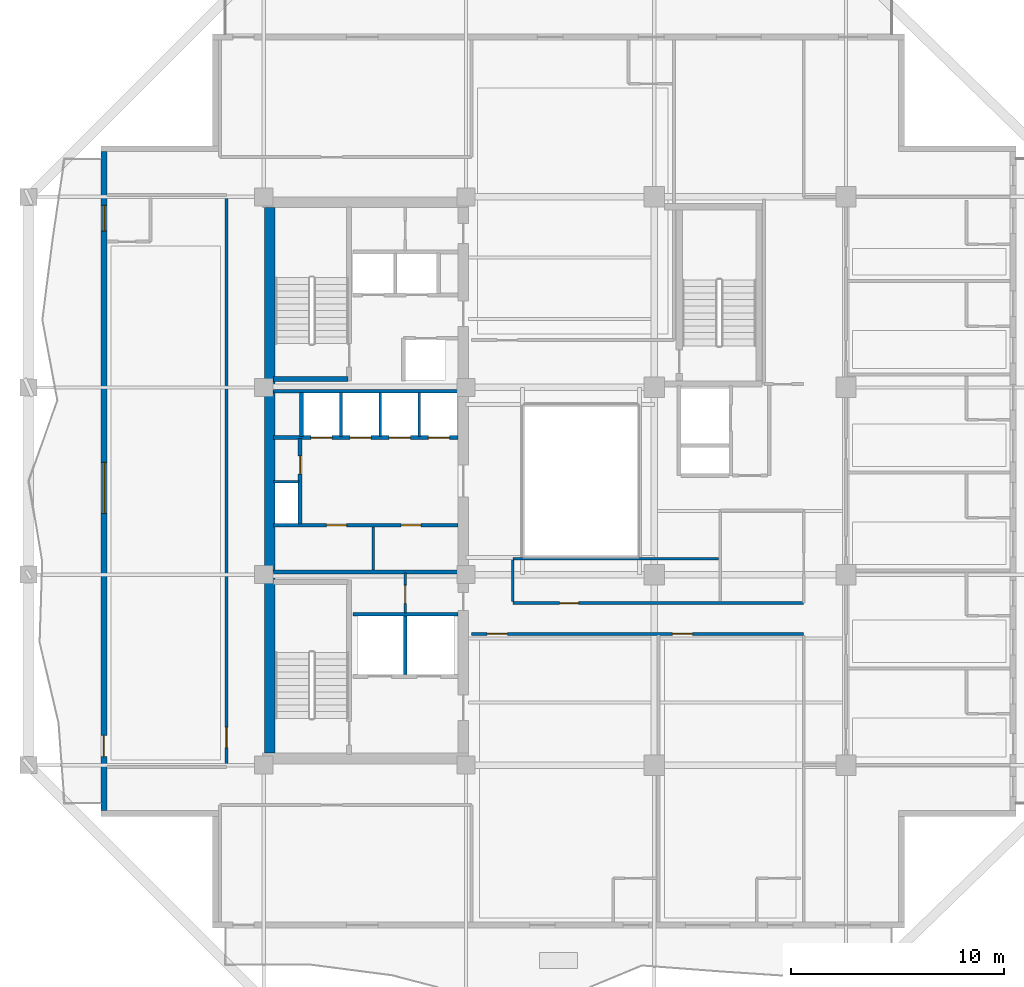
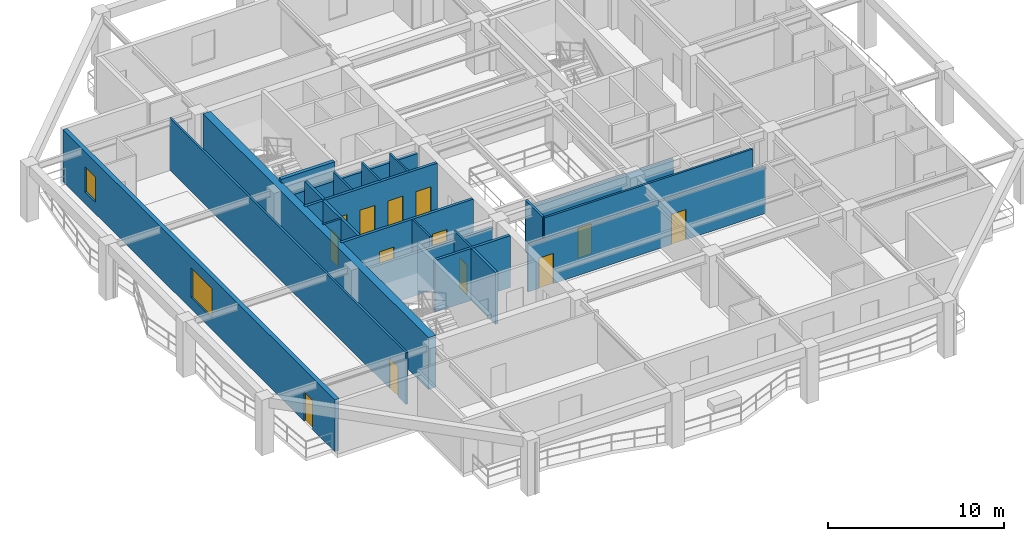
# One storey, part 3 of 13: 22 walls, 13 doors, 2 windows, 15 openings.
"""IFC4 building model written with IfcOpenShell, lengths in metres."""

from ifc_helpers import new_model, si_unit, direction, frame, frame_2d, origin, place, context, subcontext, project, spatial, rectangle, extrude, material, layer, layer_set, type_object, element, fill, save


model = new_model("IFC4")

# Units and contexts
model_context = context("Model", 3, precision=1e-05, world=origin(), true_north=direction((0.0, 1.0)))
body_context = subcontext(model_context, "Body", "Model", "MODEL_VIEW")
ifc_project = project(units=[si_unit("LENGTHUNIT", "METRE"), si_unit("AREAUNIT", "SQUARE_METRE"), si_unit("VOLUMEUNIT", "CUBIC_METRE"), si_unit("PLANEANGLEUNIT", "RADIAN"), si_unit("MASSUNIT", "GRAM", prefix="KILO")], contexts=[model_context])

# Site, building, storey
site_placement = place(None, origin())
site = spatial("IfcSite", under=ifc_project, at=site_placement, CompositionType="ELEMENT")
building_placement = place(site_placement, origin())
building = spatial("IfcBuilding", under=site, at=building_placement, Name="Kundavana Baori Tower", CompositionType="ELEMENT")
storey_placement = place(building_placement, frame((0.0, 0.0, 188.699951171875)))
storey = spatial("IfcBuildingStorey", under=building, at=storey_placement, Name="L46", CompositionType="ELEMENT", Elevation=188.699951171875)

# Walls
ifc_material_1 = material(Name="Concrete C50/60", Category="concrete")
ifc_layer_1 = layer(ifc_material_1, 0.39990234375, Name="WL-CORE-400")
ifc_layer_set_1 = layer_set([ifc_layer_1], Name="Concrete C50/60")
wall_type_1 = type_object("IfcWallType", Name="WL-CORE-400", PredefinedType="SHEAR", material=ifc_layer_set_1)
wall_1_placement = place(storey_placement, frame((15.89990234375, 33.389892578125, 0.0), z_axis=(0.0, 0.0, 1.0), x_axis=(1.0, 0.0, 0.0)))
element("IfcWall", 1, at=wall_1_placement, inside=storey, type_object=wall_type_1, Name="WL-L46-ST2-S", PredefinedType="SHEAR", context=body_context, shape_type="SweptSolid", body=[
    extrude(rectangle(XDim=3.52001953125, YDim=0.239990234375, at=frame_2d((1.760009765625, 0.0))), origin(), (0.0, 0.0, 1.0), 3.85009765625),
])
ifc_material_2 = material(Name="Concrete C50/60", Category="concrete")
ifc_layer_2 = layer(ifc_material_2, 0.5, Name="WL-CORE-500")
ifc_layer_set_2 = layer_set([ifc_layer_2], Name="Concrete C50/60")
wall_type_2 = type_object("IfcWallType", Name="WL-CORE-500", PredefinedType="SHEAR", material=ifc_layer_set_2)
wall_2_placement = place(storey_placement, frame((15.739990234375, 15.81005859375, 0.0), z_axis=(0.0, 0.0, 1.0), x_axis=(0.0, 1.0, 0.0)))
element("IfcWall", 2, at=wall_2_placement, inside=storey, type_object=wall_type_2, Name="L46 Offset Core West Shear Wall", PredefinedType="SHEAR", context=body_context, shape_type="SweptSolid", body=[
    extrude(rectangle(XDim=25.6298828125, YDim=0.5, at=frame_2d((12.81494140625, 0.0))), origin(), (0.0, 0.0, 1.0), 3.60009765625),
])

# Wall, openings, door, windows
ifc_material_3 = material(Name="Red-Buff Dholpur Sandstone Cladding on Concrete C40/50", Category="masonry")
ifc_layer_3 = layer(ifc_material_3, 0.280029296875, Name="WL-EXT-SAND-280")
ifc_layer_set_3 = layer_set([ifc_layer_3], Name="Red-Buff Dholpur Sandstone Cladding on Concrete C40/50")
wall_type_3 = type_object("IfcWallType", Name="WL-EXT-SAND-280", PredefinedType="STANDARD", material=ifc_layer_set_3)
wall_3_placement = place(storey_placement, frame((7.93994140625, 44.070068359375, 0.0), z_axis=(0.0, 0.0, 1.0), x_axis=(0.0, -1.0, 0.0)))
wall_3 = element("IfcWall", 3, at=wall_3_placement, inside=storey, type_object=wall_type_3, Name="L46 Exterior Insulated Facade Wall 10", PredefinedType="STANDARD", context=body_context, shape_type="SweptSolid", body=[
    extrude(rectangle(XDim=30.940185546875, YDim=0.280029296875, at=frame_2d((15.47021484375, 0.0))), origin(), (0.0, 0.0, 1.0), 3.60009765625),
])
opening_1_placement = place(wall_3_placement, frame((27.419921875, 0.0, 0.0)))
opening_1 = element("IfcOpeningElement", 4, at=opening_1_placement, cuts=wall_3, Name="Opening BD-1", PredefinedType="OPENING", context=body_context, shape_type="SweptSolid", body=[
    extrude(rectangle(XDim=1.0, YDim=2.050048828125, at=frame_2d((0.5, 1.02490234375))), frame((0.0, 0.14990234375, 0.0), z_axis=(0.0, -1.0, 0.0), x_axis=(1.0, 0.0, 0.0)), (0.0, 0.0, 1.0), 0.300048828125),
])
opening_2_placement = place(wall_3_placement, frame((14.590087890625, 0.0, 0.800048828125)))
opening_2 = element("IfcOpeningElement", 5, at=opening_2_placement, cuts=wall_3, Name="Opening W-04", PredefinedType="OPENING", context=body_context, shape_type="SweptSolid", body=[
    extrude(rectangle(XDim=2.39990234375, YDim=2.050048828125, at=frame_2d((1.199951171875, 1.02490234375))), frame((0.0, 0.14990234375, 0.0), z_axis=(0.0, -1.0, 0.0), x_axis=(1.0, 0.0, 0.0)), (0.0, 0.0, 1.0), 0.300048828125),
])
opening_3_placement = place(wall_3_placement, frame((2.52490234375, 0.0, 0.800048828125)))
opening_3 = element("IfcOpeningElement", 6, at=opening_3_placement, cuts=wall_3, Name="Opening W-03", PredefinedType="OPENING", context=body_context, shape_type="SweptSolid", body=[
    extrude(rectangle(XDim=1.199951171875, YDim=1.75, at=frame_2d((0.60009765625, 0.875))), frame((0.0, 0.14990234375, 0.0), z_axis=(0.0, -1.0, 0.0), x_axis=(1.0, 0.0, 0.0)), (0.0, 0.0, 1.0), 0.300048828125),
])
ifc_material_4 = material(Name="Architectural Patinated Bronze Metalwork")
door_type_1 = type_object("IfcDoorType", Name="DR-EXT-LOG-1000", OperationType="NOTDEFINED", PredefinedType="DOOR", material=ifc_material_4)
door_1_placement = place(opening_1_placement, frame((1.0, 0.0, 0.0), z_axis=(0.0, 0.0, 1.0), x_axis=(-1.0, 0.0, 0.0)))
door_1 = element("IfcDoor", 7, at=door_1_placement, inside=storey, type_object=door_type_1, Name="L46 Loggia Balcony Access Door W", OperationType="SINGLE_SWING_RIGHT", OverallHeight=2.050048828125, OverallWidth=1.0, PredefinedType="DOOR", context=body_context, shape_type="SweptSolid", body=[
    extrude(rectangle(XDim=1.0, YDim=2.050048828125, at=frame_2d((0.5, 1.02490234375))), frame((0.0, 0.02490234375, 0.0), z_axis=(0.0, -1.0, 0.0), x_axis=(1.0, 0.0, 0.0)), (0.0, 0.0, 1.0), 0.050048828125),
])
fill(opening_1, door_1)
ifc_material_5 = material(Name="Double-Glazed Solar-Control Low-E Insulated Glass", Category="glass")
window_type_1 = type_object("IfcWindowType", Name="WIN-LOG-1200x1750", PartitioningType="SINGLE_PANEL", PredefinedType="WINDOW", material=ifc_material_5)
window_1_placement = place(opening_3_placement, origin())
window_1 = element("IfcWindow", 8, at=window_1_placement, inside=storey, type_object=window_type_1, Name="L46 Recessed Loggia Window W-2", OverallHeight=1.75, OverallWidth=1.199951171875, PartitioningType="SINGLE_PANEL", PredefinedType="WINDOW", context=body_context, shape_type="SweptSolid", body=[
    extrude(rectangle(XDim=1.199951171875, YDim=1.75, at=frame_2d((0.60009765625, 0.875))), frame((0.0, 0.030029296875, 0.0), z_axis=(0.0, -1.0, 0.0), x_axis=(1.0, 0.0, 0.0)), (0.0, 0.0, 1.0), 0.06005859375),
])
fill(opening_3, window_1)
ifc_material_6 = material(Name="Double-Glazed Solar-Control Low-E Insulated Glass", Category="glass")
window_type_2 = type_object("IfcWindowType", Name="WIN-LOG-2400x2050", PartitioningType="SINGLE_PANEL", PredefinedType="WINDOW", material=ifc_material_6)
window_2_placement = place(opening_2_placement, origin())
window_2 = element("IfcWindow", 9, at=window_2_placement, inside=storey, type_object=window_type_2, Name="L46 Recessed Loggia Window W-1", OverallHeight=2.050048828125, OverallWidth=2.39990234375, PartitioningType="SINGLE_PANEL", PredefinedType="WINDOW", context=body_context, shape_type="SweptSolid", body=[
    extrude(rectangle(XDim=2.39990234375, YDim=2.050048828125, at=frame_2d((1.199951171875, 1.02490234375))), frame((0.0, 0.030029296875, 0.0), z_axis=(0.0, -1.0, 0.0), x_axis=(1.0, 0.0, 0.0)), (0.0, 0.0, 1.0), 0.06005859375),
])
fill(opening_2, window_2)

# Wall, opening, door
ifc_material_7 = material(Name="Acoustic Gypsum Plasterboard on Galvanised Steel Studs", Category="steel")
ifc_layer_4 = layer(ifc_material_7, 0.1201171875, Name="WL-PART-120")
ifc_layer_set_4 = layer_set([ifc_layer_4], Name="Acoustic Gypsum Plasterboard on Galvanised Steel Studs")
wall_type_4 = type_object("IfcWallType", Name="WL-PART-120", PredefinedType="PARTITIONING", material=ifc_layer_set_4)
wall_4_placement = place(storey_placement, frame((22.10009765625, 22.39990234375, 0.0), z_axis=(0.0, 0.0, 1.0), x_axis=(0.0, 1.0, 0.0)))
wall_4 = element("IfcWall", 10, at=wall_4_placement, inside=storey, type_object=wall_type_4, Name="WL-L46-CSMK-D1", PredefinedType="PARTITIONING", context=body_context, shape_type="SweptSolid", body=[
    extrude(rectangle(XDim=1.880126953125, YDim=0.1201171875, at=frame_2d((0.93994140625, 0.0))), origin(), (0.0, 0.0, 1.0), 3.60009765625),
])
opening_4_placement = place(wall_4_placement, frame((0.449951171875, 0.0, 0.0)))
opening_4 = element("IfcOpeningElement", 11, at=opening_4_placement, cuts=wall_4, Name="Opening FD-085", PredefinedType="OPENING", context=body_context, shape_type="SweptSolid", body=[
    extrude(rectangle(XDim=0.85009765625, YDim=2.06005859375, at=frame_2d((0.425048828125, 1.030029296875))), frame((0.0, 0.070068359375, 0.0), z_axis=(0.0, -1.0, 0.0), x_axis=(1.0, 0.0, 0.0)), (0.0, 0.0, 1.0), 0.14013671875),
])
ifc_material_8 = material(Name="Galvanised Steel Fire-Rated Door Leaf", Category="steel")
door_type_2 = type_object("IfcDoorType", Name="DR-FD60-850", OperationType="NOTDEFINED", PredefinedType="DOOR", material=ifc_material_8)
door_2_placement = place(opening_4_placement, origin())
door_2 = element("IfcDoor", 12, at=door_2_placement, inside=storey, type_object=door_type_2, Name="DR-L46-CSMK1", OperationType="SINGLE_SWING_LEFT", OverallHeight=2.06005859375, OverallWidth=0.85009765625, PredefinedType="DOOR", context=body_context, shape_type="SweptSolid", body=[
    extrude(rectangle(XDim=0.85009765625, YDim=2.06005859375, at=frame_2d((0.425048828125, 1.030029296875))), frame((0.0, 0.02490234375, 0.0), z_axis=(0.0, -1.0, 0.0), x_axis=(1.0, 0.0, 0.0)), (0.0, 0.0, 1.0), 0.050048828125),
])
fill(opening_4, door_2)

# Walls
wall_5_placement = place(storey_placement, frame((20.60009765625, 24.419921875, 0.0), z_axis=(0.0, 0.0, 1.0), x_axis=(0.0, 1.0, 0.0)))
element("IfcWall", 13, at=wall_5_placement, inside=storey, type_object=wall_type_4, Name="WL-L46-FRLOW-DIV", PredefinedType="PARTITIONING", context=body_context, shape_type="SweptSolid", body=[
    extrude(rectangle(XDim=2.02001953125, YDim=0.1201171875, at=frame_2d((1.010009765625, 0.0))), origin(), (0.0, 0.0, 1.0), 3.60009765625),
])
wall_6_placement = place(storey_placement, frame((15.89990234375, 28.56005859375, 0.0), z_axis=(0.0, 0.0, 1.0), x_axis=(1.0, 0.0, 0.0)))
element("IfcWall", 14, at=wall_6_placement, inside=storey, type_object=wall_type_4, Name="WL-L46-RSRW-N", PredefinedType="PARTITIONING", context=body_context, shape_type="SweptSolid", body=[
    extrude(rectangle(XDim=1.2001953125, YDim=0.1201171875, at=frame_2d((0.60009765625, 0.0))), origin(), (0.0, 0.0, 1.0), 3.60009765625),
])
for number, where, z_axis, x_axis, name in (
    (15, (19.080078125, 30.699951171875, 0.0), (0.0, 0.0, 1.0), (0.0, 1.0, 0.0), "WL-L46-LPMID-D1"),
    (16, (20.919921875, 30.699951171875, 0.0), (0.0, 0.0, 1.0), (0.0, 1.0, 0.0), "WL-L46-LPMID-D2"),
    (17, (22.760009765625, 30.699951171875, 0.0), (0.0, 0.0, 1.0), (0.0, 1.0, 0.0), "WL-L46-LPMID-D3"),
):
    element("IfcWall", number, at=place(storey_placement, frame(where, z_axis=z_axis, x_axis=x_axis)), inside=storey, type_object=wall_type_4, Name=name, PredefinedType="PARTITIONING", context=body_context, shape_type="SweptSolid", body=[
        extrude(rectangle(XDim=2.050048828125, YDim=0.1201171875, at=frame_2d((1.02490234375, 0.0))), origin(), (0.0, 0.0, 1.0), 3.60009765625),
    ])

# Wall, openings, doors
ifc_material_9 = material(Name="Acoustic Gypsum Plasterboard on Galvanised Steel Studs", Category="steel")
ifc_layer_5 = layer(ifc_material_9, 0.135009765625, Name="WL-PART-135")
ifc_layer_set_5 = layer_set([ifc_layer_5], Name="Acoustic Gypsum Plasterboard on Galvanised Steel Studs")
wall_type_5 = type_object("IfcWallType", Name="WL-PART-135", PredefinedType="PARTITIONING", material=ifc_layer_set_5)
wall_7_placement = place(storey_placement, frame((25.219970703125, 21.419921875, 0.0), z_axis=(0.0, 0.0, 1.0), x_axis=(1.0, 0.0, 0.0)))
wall_7 = element("IfcWall", 18, at=wall_7_placement, inside=storey, type_object=wall_type_5, Name="WL-L46-HS", PredefinedType="PARTITIONING", context=body_context, shape_type="SweptSolid", body=[
    extrude(rectangle(XDim=15.60009765625, YDim=0.135009765625, at=frame_2d((7.800048828125, 0.0))), origin(), (0.0, 0.0, 1.0), 3.25),
])
opening_5_placement = place(wall_7_placement, frame((0.72998046875, 0.0, 0.0)))
opening_5 = element("IfcOpeningElement", 19, at=opening_5_placement, cuts=wall_7, Name="Opening FD-095", PredefinedType="OPENING", context=body_context, shape_type="SweptSolid", body=[
    extrude(rectangle(XDim=0.949951171875, YDim=2.10009765625, at=frame_2d((0.47509765625, 1.050048828125))), frame((0.0, 0.07763671875, 0.0), z_axis=(0.0, -1.0, 0.0), x_axis=(1.0, 0.0, 0.0)), (0.0, 0.0, 1.0), 0.155029296875),
])
opening_6_placement = place(wall_7_placement, frame((9.429931640625, 0.0, 0.0)))
opening_6 = element("IfcOpeningElement", 20, at=opening_6_placement, cuts=wall_7, Name="Opening FD-095", PredefinedType="OPENING", context=body_context, shape_type="SweptSolid", body=[
    extrude(rectangle(XDim=0.949951171875, YDim=2.10009765625, at=frame_2d((0.47509765625, 1.050048828125))), frame((0.0, 0.07763671875, 0.0), z_axis=(0.0, -1.0, 0.0), x_axis=(1.0, 0.0, 0.0)), (0.0, 0.0, 1.0), 0.155029296875),
])
ifc_material_10 = material(Name="Engineered Teak Fire-Rated Timber Door Leaf", Category="wood")
door_type_3 = type_object("IfcDoorType", Name="DR-FD60-950", OperationType="NOTDEFINED", PredefinedType="DOOR", material=ifc_material_10)
door_3_placement = place(opening_5_placement, frame((0.949951171875, 0.0, 0.0), z_axis=(0.0, 0.0, 1.0), x_axis=(-1.0, 0.0, 0.0)))
door_3 = element("IfcDoor", 21, at=door_3_placement, inside=storey, type_object=door_type_3, Name="DR-L46-HK-S1-ENT", OperationType="SINGLE_SWING_RIGHT", OverallHeight=2.10009765625, OverallWidth=0.949951171875, PredefinedType="DOOR", context=body_context, shape_type="SweptSolid", body=[
    extrude(rectangle(XDim=0.949951171875, YDim=2.10009765625, at=frame_2d((0.47509765625, 1.050048828125))), frame((0.0, 0.02490234375, 0.0), z_axis=(0.0, -1.0, 0.0), x_axis=(1.0, 0.0, 0.0)), (0.0, 0.0, 1.0), 0.050048828125),
])
fill(opening_5, door_3)
door_4_placement = place(opening_6_placement, frame((0.949951171875, 0.0, 0.0), z_axis=(0.0, 0.0, 1.0), x_axis=(-1.0, 0.0, 0.0)))
door_4 = element("IfcDoor", 22, at=door_4_placement, inside=storey, type_object=door_type_3, Name="DR-L46-HK-S2-ENT", OperationType="SINGLE_SWING_RIGHT", OverallHeight=2.10009765625, OverallWidth=0.949951171875, PredefinedType="DOOR", context=body_context, shape_type="SweptSolid", body=[
    extrude(rectangle(XDim=0.949951171875, YDim=2.10009765625, at=frame_2d((0.47509765625, 1.050048828125))), frame((0.0, 0.02490234375, 0.0), z_axis=(0.0, -1.0, 0.0), x_axis=(1.0, 0.0, 0.0)), (0.0, 0.0, 1.0), 0.050048828125),
])
fill(opening_6, door_4)

# Wall, opening, door
wall_8_placement = place(storey_placement, frame((27.14990234375, 22.860107421875, 0.0), z_axis=(0.0, 0.0, 1.0), x_axis=(1.0, 0.0, 0.0)))
wall_8 = element("IfcWall", 23, at=wall_8_placement, inside=storey, type_object=wall_type_5, Name="WL-L46-HST", PredefinedType="PARTITIONING", context=body_context, shape_type="SweptSolid", body=[
    extrude(rectangle(XDim=13.670166015625, YDim=0.135009765625, at=frame_2d((6.8349609375, 0.0))), origin(), (0.0, 0.0, 1.0), 3.60009765625),
])
opening_7_placement = place(wall_8_placement, frame((2.199951171875, 0.0, 0.0)))
opening_7 = element("IfcOpeningElement", 24, at=opening_7_placement, cuts=wall_8, Name="Opening ID-090", PredefinedType="OPENING", context=body_context, shape_type="SweptSolid", body=[
    extrude(rectangle(XDim=0.89990234375, YDim=2.080078125, at=frame_2d((0.449951171875, 1.0400390625))), frame((0.0, 0.07763671875, 0.0), z_axis=(0.0, -1.0, 0.0), x_axis=(1.0, 0.0, 0.0)), (0.0, 0.0, 1.0), 0.155029296875),
])
ifc_material_11 = material(Name="Engineered Teak Solid-Core Timber Veneer", Category="wood")
door_type_4 = type_object("IfcDoorType", Name="DR-INT-900", OperationType="NOTDEFINED", PredefinedType="DOOR", material=ifc_material_11)
door_5_placement = place(opening_7_placement, origin())
door_5 = element("IfcDoor", 25, at=door_5_placement, inside=storey, type_object=door_type_4, Name="DR-L46-HPNT", OperationType="SINGLE_SWING_LEFT", OverallHeight=2.080078125, OverallWidth=0.89990234375, PredefinedType="DOOR", context=body_context, shape_type="SweptSolid", body=[
    extrude(rectangle(XDim=0.89990234375, YDim=2.080078125, at=frame_2d((0.449951171875, 1.0400390625))), frame((0.0, 0.02490234375, 0.0), z_axis=(0.0, -1.0, 0.0), x_axis=(1.0, 0.0, 0.0)), (0.0, 0.0, 1.0), 0.050048828125),
])
fill(opening_7, door_5)

wall_9_placement = place(storey_placement, frame((13.699951171875, 15.159912109375, 0.0), z_axis=(0.0, 0.0, 1.0), x_axis=(0.0, 1.0, 0.0)))
wall_9 = element("IfcWall", 26, at=wall_9_placement, inside=storey, type_object=wall_type_5, Name="WL-L46-HW", PredefinedType="PARTITIONING", context=body_context, shape_type="SweptSolid", body=[
    extrude(rectangle(XDim=26.880126953125, YDim=0.135009765625, at=frame_2d((13.43994140625, 0.0))), origin(), (0.0, 0.0, 1.0), 3.60009765625),
])
opening_8_placement = place(wall_9_placement, frame((0.909912109375, 0.0, 0.0)))
opening_8 = element("IfcOpeningElement", 27, at=opening_8_placement, cuts=wall_9, Name="Opening FD-095", PredefinedType="OPENING", context=body_context, shape_type="SweptSolid", body=[
    extrude(rectangle(XDim=0.949951171875, YDim=2.10009765625, at=frame_2d((0.47509765625, 1.050048828125))), frame((0.0, 0.07763671875, 0.0), z_axis=(0.0, -1.0, 0.0), x_axis=(1.0, 0.0, 0.0)), (0.0, 0.0, 1.0), 0.155029296875),
])
door_6_placement = place(opening_8_placement, origin())
door_6 = element("IfcDoor", 28, at=door_6_placement, inside=storey, type_object=door_type_3, Name="DR-L46-HK-W1-ENT", OperationType="SINGLE_SWING_LEFT", OverallHeight=2.10009765625, OverallWidth=0.949951171875, PredefinedType="DOOR", context=body_context, shape_type="SweptSolid", body=[
    extrude(rectangle(XDim=0.949951171875, YDim=2.10009765625, at=frame_2d((0.47509765625, 1.050048828125))), frame((0.0, 0.02490234375, 0.0), z_axis=(0.0, -1.0, 0.0), x_axis=(1.0, 0.0, 0.0)), (0.0, 0.0, 1.0), 0.050048828125),
])
fill(opening_8, door_6)

# Walls
wall_10_placement = place(storey_placement, frame((27.14990234375, 24.949951171875, 0.0), z_axis=(0.0, 0.0, 1.0), x_axis=(1.0, 0.0, 0.0)))
element("IfcWall", 29, at=wall_10_placement, inside=storey, type_object=wall_type_5, Name="WL-L46-HPN1", PredefinedType="PARTITIONING", context=body_context, shape_type="SweptSolid", body=[
    extrude(rectangle(XDim=9.670166015625, YDim=0.135009765625, at=frame_2d((4.8349609375, 0.0))), origin(), (0.0, 0.0, 1.0), 3.050048828125),
])
wall_11_placement = place(storey_placement, frame((27.14990234375, 22.93994140625, 0.0), z_axis=(0.0, 0.0, 1.0), x_axis=(0.0, 1.0, 0.0)))
element("IfcWall", 30, at=wall_11_placement, inside=storey, type_object=wall_type_5, Name="WL-L46-HPN2", PredefinedType="PARTITIONING", context=body_context, shape_type="SweptSolid", body=[
    extrude(rectangle(XDim=1.93994140625, YDim=0.135009765625, at=frame_2d((0.969970703125, 0.0))), origin(), (0.0, 0.0, 1.0), 3.60009765625),
])
ifc_material_12 = material(Name="Autoclaved Aerated Concrete Blockwork Masonry", Category="masonry")
ifc_layer_6 = layer(ifc_material_12, 0.179931640625, Name="WL-SHAFT-180")
ifc_layer_set_6 = layer_set([ifc_layer_6], Name="Autoclaved Aerated Concrete Blockwork Masonry")
wall_type_6 = type_object("IfcWallType", Name="WL-SHAFT-180", PredefinedType="SOLIDWALL", material=ifc_layer_set_6)
wall_12_placement = place(storey_placement, frame((22.10009765625, 19.510009765625, 0.0), z_axis=(0.0, 0.0, 1.0), x_axis=(0.0, 1.0, 0.0)))
element("IfcWall", 31, at=wall_12_placement, inside=storey, type_object=wall_type_6, Name="WL-L46-FFL-MID", PredefinedType="SOLIDWALL", context=body_context, shape_type="SweptSolid", body=[
    extrude(rectangle(XDim=2.739990234375, YDim=0.179931640625, at=frame_2d((1.3701171875, 0.0))), origin(), (0.0, 0.0, 1.0), 3.60009765625),
])
wall_13_placement = place(storey_placement, frame((19.639892578125, 22.340087890625, 0.0), z_axis=(0.0, 0.0, 1.0), x_axis=(1.0, 0.0, 0.0)))
element("IfcWall", 32, at=wall_13_placement, inside=storey, type_object=wall_type_6, Name="WL-L46-FFL-N", PredefinedType="SOLIDWALL", context=body_context, shape_type="SweptSolid", body=[
    extrude(rectangle(XDim=4.940185546875, YDim=0.179931640625, at=frame_2d((2.47021484375, 0.0))), origin(), (0.0, 0.0, 1.0), 3.60009765625),
])

# Wall, openings, doors
wall_14_placement = place(storey_placement, frame((15.89990234375, 26.52001953125, 0.0), z_axis=(0.0, 0.0, 1.0), x_axis=(1.0, 0.0, 0.0)))
wall_14 = element("IfcWall", 33, at=wall_14_placement, inside=storey, type_object=wall_type_6, Name="WL-L46-LPLOW-N", PredefinedType="SOLIDWALL", context=body_context, shape_type="SweptSolid", body=[
    extrude(rectangle(XDim=8.68017578125, YDim=0.179931640625, at=frame_2d((4.340087890625, 0.0))), origin(), (0.0, 0.0, 1.0), 3.60009765625),
])
opening_9_placement = place(wall_14_placement, frame((2.5, 0.0, 0.0)))
opening_9 = element("IfcOpeningElement", 34, at=opening_9_placement, cuts=wall_14, Name="Opening FD-095", PredefinedType="OPENING", context=body_context, shape_type="SweptSolid", body=[
    extrude(rectangle(XDim=0.949951171875, YDim=2.10009765625, at=frame_2d((0.47509765625, 1.050048828125))), frame((0.0, 0.10009765625, 0.0), z_axis=(0.0, -1.0, 0.0), x_axis=(1.0, 0.0, 0.0)), (0.0, 0.0, 1.0), 0.199951171875),
])
opening_10_placement = place(wall_14_placement, frame((6.0, 0.0, 0.0)))
opening_10 = element("IfcOpeningElement", 35, at=opening_10_placement, cuts=wall_14, Name="Opening FD-095", PredefinedType="OPENING", context=body_context, shape_type="SweptSolid", body=[
    extrude(rectangle(XDim=0.949951171875, YDim=2.10009765625, at=frame_2d((0.47509765625, 1.050048828125))), frame((0.0, 0.10009765625, 0.0), z_axis=(0.0, -1.0, 0.0), x_axis=(1.0, 0.0, 0.0)), (0.0, 0.0, 1.0), 0.199951171875),
])
door_7_placement = place(opening_9_placement, origin())
door_7 = element("IfcDoor", 36, at=door_7_placement, inside=storey, type_object=door_type_3, Name="DR-L46-FRLOW1", OperationType="SINGLE_SWING_LEFT", OverallHeight=2.10009765625, OverallWidth=0.949951171875, PredefinedType="DOOR", context=body_context, shape_type="SweptSolid", body=[
    extrude(rectangle(XDim=0.949951171875, YDim=2.10009765625, at=frame_2d((0.47509765625, 1.050048828125))), frame((0.0, 0.02490234375, 0.0), z_axis=(0.0, -1.0, 0.0), x_axis=(1.0, 0.0, 0.0)), (0.0, 0.0, 1.0), 0.050048828125),
])
fill(opening_9, door_7)
door_8_placement = place(opening_10_placement, origin())
door_8 = element("IfcDoor", 37, at=door_8_placement, inside=storey, type_object=door_type_3, Name="DR-L46-FRLOW2", OperationType="SINGLE_SWING_RIGHT", OverallHeight=2.10009765625, OverallWidth=0.949951171875, PredefinedType="DOOR", context=body_context, shape_type="SweptSolid", body=[
    extrude(rectangle(XDim=0.949951171875, YDim=2.10009765625, at=frame_2d((0.47509765625, 1.050048828125))), frame((0.0, 0.02490234375, 0.0), z_axis=(0.0, -1.0, 0.0), x_axis=(1.0, 0.0, 0.0)), (0.0, 0.0, 1.0), 0.050048828125),
])
fill(opening_10, door_8)

# Wall
wall_15_placement = place(storey_placement, frame((15.89990234375, 24.330078125, 0.0), z_axis=(0.0, 0.0, 1.0), x_axis=(1.0, 0.0, 0.0)))
element("IfcWall", 38, at=wall_15_placement, inside=storey, type_object=wall_type_6, Name="WL-L46-LPLOW-S", PredefinedType="SOLIDWALL", context=body_context, shape_type="SweptSolid", body=[
    extrude(rectangle(XDim=8.68017578125, YDim=0.179931640625, at=frame_2d((4.340087890625, 0.0))), origin(), (0.0, 0.0, 1.0), 2.949951171875),
])

# Wall, opening, door
wall_16_placement = place(storey_placement, frame((17.159912109375, 26.580078125, 0.0), z_axis=(0.0, 0.0, 1.0), x_axis=(0.0, 1.0, 0.0)))
wall_16 = element("IfcWall", 39, at=wall_16_placement, inside=storey, type_object=wall_type_6, Name="WL-L46-RSRW-E", PredefinedType="SOLIDWALL", context=body_context, shape_type="SweptSolid", body=[
    extrude(rectangle(XDim=4.02001953125, YDim=0.179931640625, at=frame_2d((2.010009765625, 0.0))), origin(), (0.0, 0.0, 1.0), 3.60009765625),
])
opening_11_placement = place(wall_16_placement, frame((2.35009765625, 0.0, 0.0)))
opening_11 = element("IfcOpeningElement", 40, at=opening_11_placement, cuts=wall_16, Name="Opening FD-085", PredefinedType="OPENING", context=body_context, shape_type="SweptSolid", body=[
    extrude(rectangle(XDim=0.85009765625, YDim=2.06005859375, at=frame_2d((0.425048828125, 1.030029296875))), frame((0.0, 0.10009765625, 0.0), z_axis=(0.0, -1.0, 0.0), x_axis=(1.0, 0.0, 0.0)), (0.0, 0.0, 1.0), 0.199951171875),
])
door_9_placement = place(opening_11_placement, origin())
door_9 = element("IfcDoor", 41, at=door_9_placement, inside=storey, type_object=door_type_2, Name="DR-L46-CLN", OperationType="SINGLE_SWING_RIGHT", OverallHeight=2.06005859375, OverallWidth=0.85009765625, PredefinedType="DOOR", context=body_context, shape_type="SweptSolid", body=[
    extrude(rectangle(XDim=0.85009765625, YDim=2.06005859375, at=frame_2d((0.425048828125, 1.030029296875))), frame((0.0, 0.02490234375, 0.0), z_axis=(0.0, -1.0, 0.0), x_axis=(1.0, 0.0, 0.0)), (0.0, 0.0, 1.0), 0.050048828125),
])
fill(opening_11, door_9)

# Wall, openings, doors
wall_17_placement = place(storey_placement, frame((15.89990234375, 30.639892578125, 0.0), z_axis=(0.0, 0.0, 1.0), x_axis=(1.0, 0.0, 0.0)))
wall_17 = element("IfcWall", 42, at=wall_17_placement, inside=storey, type_object=wall_type_6, Name="WL-L46-LPMID-S", PredefinedType="SOLIDWALL", context=body_context, shape_type="SweptSolid", body=[
    extrude(rectangle(XDim=8.68017578125, YDim=0.179931640625, at=frame_2d((4.340087890625, 0.0))), origin(), (0.0, 0.0, 1.0), 3.60009765625),
])
opening_12_placement = place(wall_17_placement, frame((1.760009765625, 0.0, 0.0)))
opening_12 = element("IfcOpeningElement", 43, at=opening_12_placement, cuts=wall_17, Name="Opening LD-100", PredefinedType="OPENING", context=body_context, shape_type="SweptSolid", body=[
    extrude(rectangle(XDim=1.0, YDim=2.10009765625, at=frame_2d((0.5, 1.050048828125))), frame((0.0, 0.10009765625, 0.0), z_axis=(0.0, -1.0, 0.0), x_axis=(1.0, 0.0, 0.0)), (0.0, 0.0, 1.0), 0.199951171875),
])
opening_13_placement = place(wall_17_placement, frame((3.60009765625, 0.0, 0.0)))
opening_13 = element("IfcOpeningElement", 44, at=opening_13_placement, cuts=wall_17, Name="Opening LD-100", PredefinedType="OPENING", context=body_context, shape_type="SweptSolid", body=[
    extrude(rectangle(XDim=1.0, YDim=2.10009765625, at=frame_2d((0.5, 1.050048828125))), frame((0.0, 0.10009765625, 0.0), z_axis=(0.0, -1.0, 0.0), x_axis=(1.0, 0.0, 0.0)), (0.0, 0.0, 1.0), 0.199951171875),
])
opening_14_placement = place(wall_17_placement, frame((5.43994140625, 0.0, 0.0)))
opening_14 = element("IfcOpeningElement", 45, at=opening_14_placement, cuts=wall_17, Name="Opening LD-100", PredefinedType="OPENING", context=body_context, shape_type="SweptSolid", body=[
    extrude(rectangle(XDim=1.0, YDim=2.10009765625, at=frame_2d((0.5, 1.050048828125))), frame((0.0, 0.10009765625, 0.0), z_axis=(0.0, -1.0, 0.0), x_axis=(1.0, 0.0, 0.0)), (0.0, 0.0, 1.0), 0.199951171875),
])
opening_15_placement = place(wall_17_placement, frame((7.280029296875, 0.0, 0.0)))
opening_15 = element("IfcOpeningElement", 46, at=opening_15_placement, cuts=wall_17, Name="Opening LD-100", PredefinedType="OPENING", context=body_context, shape_type="SweptSolid", body=[
    extrude(rectangle(XDim=1.0, YDim=2.10009765625, at=frame_2d((0.5, 1.050048828125))), frame((0.0, 0.10009765625, 0.0), z_axis=(0.0, -1.0, 0.0), x_axis=(1.0, 0.0, 0.0)), (0.0, 0.0, 1.0), 0.199951171875),
])
ifc_material_13 = material(Name="Galvanised Steel Fire-Rated Door Leaf", Category="steel")
door_type_5 = type_object("IfcDoorType", Name="DR-SLIDE-LD1000", OperationType="NOTDEFINED", PredefinedType="DOOR", material=ifc_material_13)
door_10_placement = place(opening_12_placement, frame((1.0, 0.0, 0.0), z_axis=(0.0, 0.0, 1.0), x_axis=(-1.0, 0.0, 0.0)))
door_10 = element("IfcDoor", 47, at=door_10_placement, inside=storey, type_object=door_type_5, Name="DR-L46-LD-LP-05", OperationType="DOUBLE_DOOR_SLIDING", OverallHeight=2.10009765625, OverallWidth=1.0, PredefinedType="DOOR", context=body_context, shape_type="SweptSolid", body=[
    extrude(rectangle(XDim=1.0, YDim=2.10009765625, at=frame_2d((0.5, 1.050048828125))), frame((0.0, 0.02490234375, 0.0), z_axis=(0.0, -1.0, 0.0), x_axis=(1.0, 0.0, 0.0)), (0.0, 0.0, 1.0), 0.050048828125),
])
fill(opening_12, door_10)
door_11_placement = place(opening_13_placement, frame((1.0, 0.0, 0.0), z_axis=(0.0, 0.0, 1.0), x_axis=(-1.0, 0.0, 0.0)))
door_11 = element("IfcDoor", 48, at=door_11_placement, inside=storey, type_object=door_type_5, Name="DR-L46-LD-LP-06", OperationType="DOUBLE_DOOR_SLIDING", OverallHeight=2.10009765625, OverallWidth=1.0, PredefinedType="DOOR", context=body_context, shape_type="SweptSolid", body=[
    extrude(rectangle(XDim=1.0, YDim=2.10009765625, at=frame_2d((0.5, 1.050048828125))), frame((0.0, 0.02490234375, 0.0), z_axis=(0.0, -1.0, 0.0), x_axis=(1.0, 0.0, 0.0)), (0.0, 0.0, 1.0), 0.050048828125),
])
fill(opening_13, door_11)
door_12_placement = place(opening_14_placement, frame((1.0, 0.0, 0.0), z_axis=(0.0, 0.0, 1.0), x_axis=(-1.0, 0.0, 0.0)))
door_12 = element("IfcDoor", 49, at=door_12_placement, inside=storey, type_object=door_type_5, Name="DR-L46-LD-LP-07", OperationType="DOUBLE_DOOR_SLIDING", OverallHeight=2.10009765625, OverallWidth=1.0, PredefinedType="DOOR", context=body_context, shape_type="SweptSolid", body=[
    extrude(rectangle(XDim=1.0, YDim=2.10009765625, at=frame_2d((0.5, 1.050048828125))), frame((0.0, 0.02490234375, 0.0), z_axis=(0.0, -1.0, 0.0), x_axis=(1.0, 0.0, 0.0)), (0.0, 0.0, 1.0), 0.050048828125),
])
fill(opening_14, door_12)
door_13_placement = place(opening_15_placement, frame((1.0, 0.0, 0.0), z_axis=(0.0, 0.0, 1.0), x_axis=(-1.0, 0.0, 0.0)))
door_13 = element("IfcDoor", 50, at=door_13_placement, inside=storey, type_object=door_type_5, Name="DR-L46-LD-LP-08", OperationType="DOUBLE_DOOR_SLIDING", OverallHeight=2.10009765625, OverallWidth=1.0, PredefinedType="DOOR", context=body_context, shape_type="SweptSolid", body=[
    extrude(rectangle(XDim=1.0, YDim=2.10009765625, at=frame_2d((0.5, 1.050048828125))), frame((0.0, 0.02490234375, 0.0), z_axis=(0.0, -1.0, 0.0), x_axis=(1.0, 0.0, 0.0)), (0.0, 0.0, 1.0), 0.050048828125),
])
fill(opening_15, door_13)

# Walls
wall_18_placement = place(storey_placement, frame((15.89990234375, 32.820068359375, 0.0), z_axis=(0.0, 0.0, 1.0), x_axis=(1.0, 0.0, 0.0)))
element("IfcWall", 51, at=wall_18_placement, inside=storey, type_object=wall_type_6, Name="WL-L46-LPMID-N", PredefinedType="SOLIDWALL", context=body_context, shape_type="SweptSolid", body=[
    extrude(rectangle(XDim=8.68017578125, YDim=0.179931640625, at=frame_2d((4.340087890625, 0.0))), origin(), (0.0, 0.0, 1.0), 2.949951171875),
])
wall_19_placement = place(storey_placement, frame((17.219970703125, 30.699951171875, 0.0), z_axis=(0.0, 0.0, 1.0), x_axis=(0.0, 1.0, 0.0)))
element("IfcWall", 52, at=wall_19_placement, inside=storey, type_object=wall_type_6, Name="WL-L46-LPMID-W", PredefinedType="SOLIDWALL", context=body_context, shape_type="SweptSolid", body=[
    extrude(rectangle(XDim=2.050048828125, YDim=0.179931640625, at=frame_2d((1.02490234375, 0.0))), origin(), (0.0, 0.0, 1.0), 3.60009765625),
])

save(model, "model.ifc")
